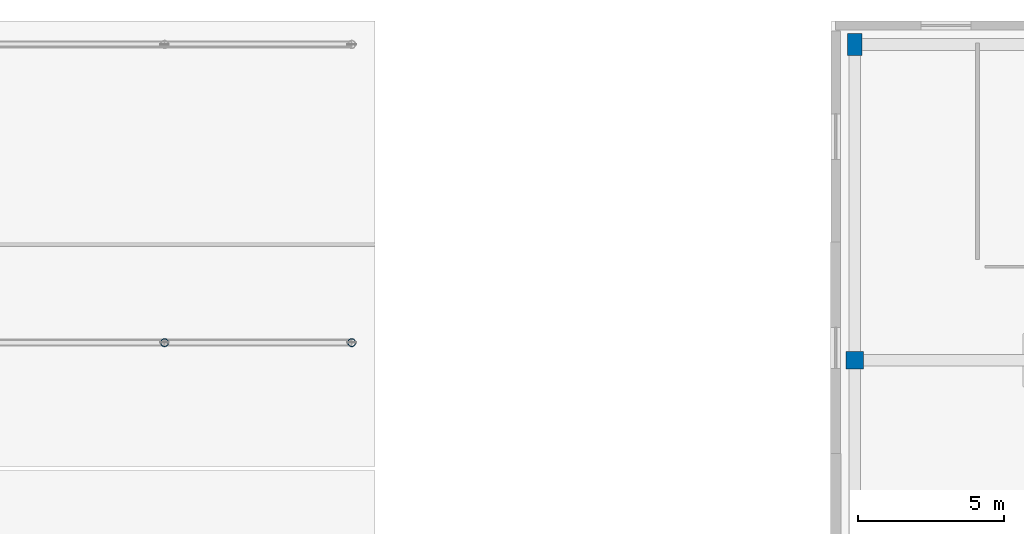
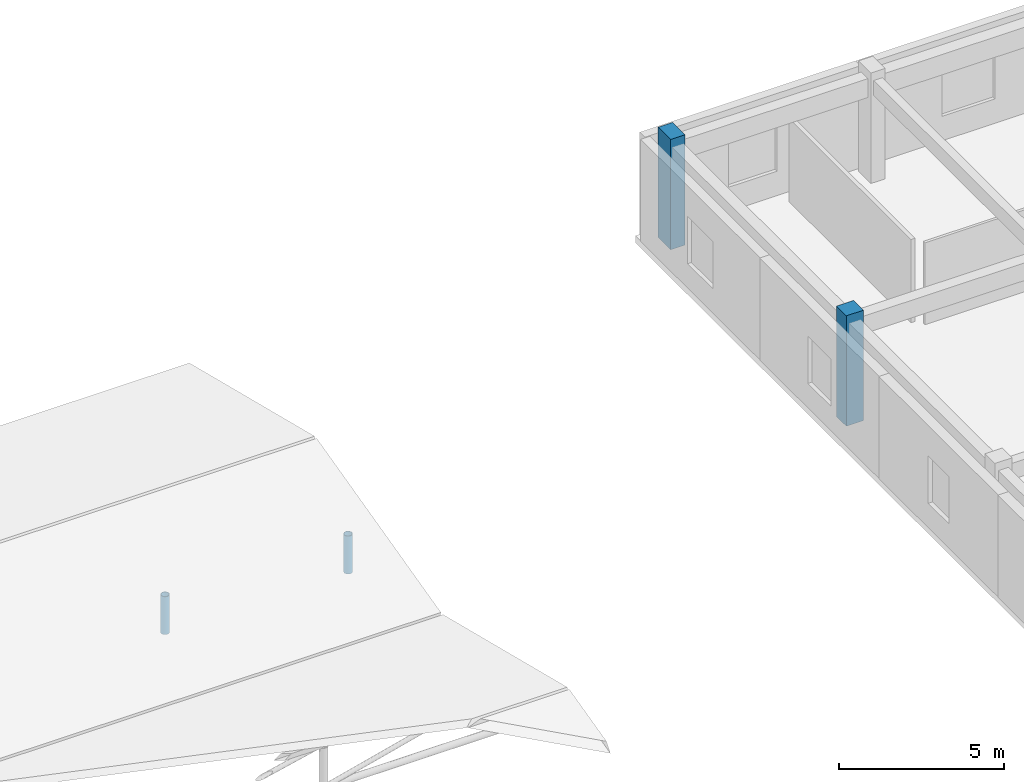
# One storey, part 10 of 91: 4 columns.
"""IFC4 building model written with IfcOpenShell, lengths in metres."""

from ifc_helpers import new_model, si_unit, direction, frame, origin, origin_2d, place, context, subcontext, project, spatial, rectangle, hollow_circle, extrude, material, material_profile, profile_set, type_object, element, save


model = new_model("IFC4")

# Units and contexts
model_context = context("Model", 3, precision=1e-05, world=origin(), true_north=direction((0.0, 1.0)))
body_context = subcontext(model_context, "Body", "Model", "MODEL_VIEW")
ifc_project = project(units=[si_unit("LENGTHUNIT", "METRE"), si_unit("AREAUNIT", "SQUARE_METRE"), si_unit("VOLUMEUNIT", "CUBIC_METRE"), si_unit("PLANEANGLEUNIT", "RADIAN"), si_unit("MASSUNIT", "GRAM", prefix="KILO")], contexts=[model_context])

# Site, building, storey
site_placement = place(None, origin())
site = spatial("IfcSite", under=ifc_project, at=site_placement, CompositionType="ELEMENT")
building_placement = place(site_placement, origin())
building = spatial("IfcBuilding", under=site, at=building_placement, Name="Valcora Specialist Clinic", CompositionType="ELEMENT")
storey_placement = place(building_placement, frame((0.0, 0.0, 13.60009765625)))
storey = spatial("IfcBuildingStorey", under=building, at=storey_placement, Name="L03", CompositionType="ELEMENT", Elevation=13.60009765625)

# Columns
ifc_material_1 = material(Name="Steel ASTM A500 Grade C", Category="steel")
ifc_material_profile_1 = material_profile(ifc_material_1, hollow_circle(Radius=0.136474609375, WallThickness=0.011962890625, at=origin_2d()), Name="ST-CHS-273X12")
ifc_profile_set_1 = profile_set([ifc_material_profile_1], Name="Steel ASTM A500 Grade C")
column_type_1 = type_object("IfcColumnType", Name="TY-COL-CHS273", PredefinedType="COLUMN", material=ifc_profile_set_1)
for number, where, z_axis, x_axis, name in (
    (1, (38.39990234375, 99.800048828125, 0.0), (0.0, 0.0, 1.0), (1.0, 0.0, 0.0), "Folded roof stub post 38.4-99.8"),
    (2, (44.800048828125, 99.800048828125, 0.0), (0.0, 0.0, 1.0), (1.0, 0.0, 0.0), "Folded roof stub post 44.8-99.8"),
):
    element("IfcColumn", number, at=place(storey_placement, frame(where, z_axis=z_axis, x_axis=x_axis)), inside=storey, type_object=column_type_1, Name=name, PredefinedType="COLUMN", context=body_context, shape_type="SweptSolid", body=[
        extrude(hollow_circle(Radius=0.136474609375, WallThickness=0.011962890625, at=origin_2d()), origin(), (0.0, 0.0, 1.0), 1.4033203125),
    ])
ifc_material_2 = material(Name="Concrete C40/50", Category="concrete")
ifc_material_profile_2 = material_profile(ifc_material_2, rectangle(XDim=0.5, YDim=0.75, at=origin_2d()), Name="RC-COL-500X750")
ifc_profile_set_2 = profile_set([ifc_material_profile_2], Name="Concrete C40/50")
column_type_2 = type_object("IfcColumnType", Name="TY-COL-RC500X750", PredefinedType="COLUMN", material=ifc_profile_set_2)
column_1_placement = place(storey_placement, frame((62.0, 110.0, 0.0), z_axis=(0.0, 0.0, 1.0), x_axis=(1.0, 0.0, 0.0)))
element("IfcColumn", 3, at=column_1_placement, inside=storey, type_object=column_type_2, Name="Column COL-L03-0325", PredefinedType="COLUMN", context=body_context, shape_type="SweptSolid", body=[
    extrude(rectangle(XDim=0.5, YDim=0.75, at=origin_2d()), origin(), (0.0, 0.0, 1.0), 4.079833984375),
])
ifc_material_profile_3 = material_profile(ifc_material_2, rectangle(XDim=0.60009765625, YDim=0.60009765625, at=origin_2d()), Name="RC-COL-600X600")
ifc_profile_set_3 = profile_set([ifc_material_profile_3], Name="Concrete C40/50")
column_type_3 = type_object("IfcColumnType", Name="TY-COL-RC600", PredefinedType="COLUMN", material=ifc_profile_set_3)
column_2_placement = place(storey_placement, frame((62.0, 99.199951171875, 0.0), z_axis=(0.0, 0.0, 1.0), x_axis=(1.0, 0.0, 0.0)))
element("IfcColumn", 4, at=column_2_placement, inside=storey, type_object=column_type_3, Name="Column COL-L03-0320", PredefinedType="COLUMN", context=body_context, shape_type="SweptSolid", body=[
    extrude(rectangle(XDim=0.60009765625, YDim=0.60009765625, at=origin_2d()), origin(), (0.0, 0.0, 1.0), 4.079833984375),
])

save(model, "model.ifc")
